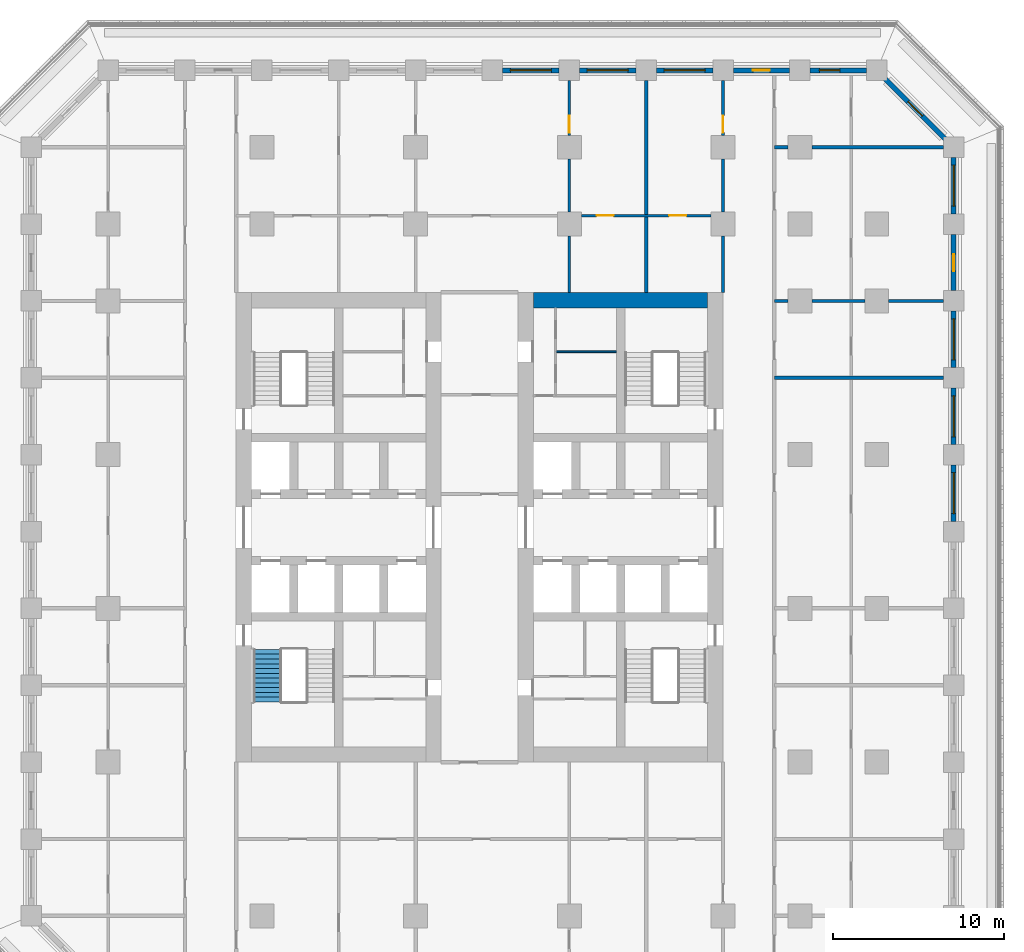
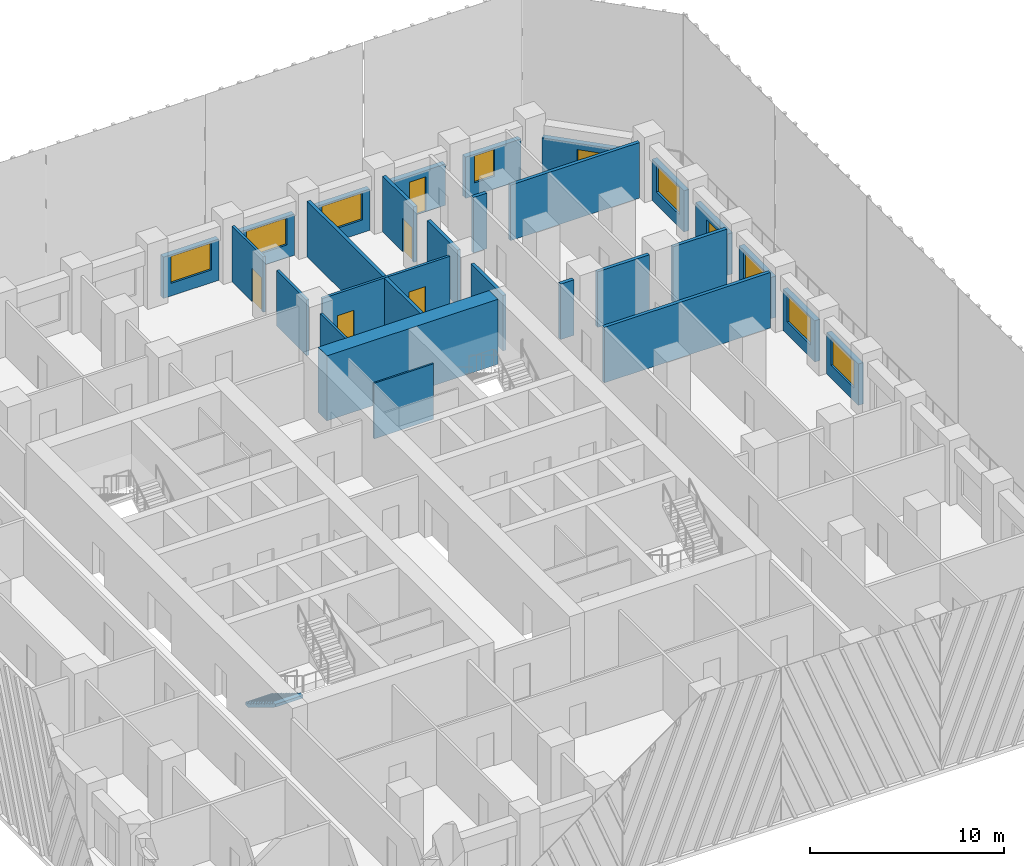
# One storey, part 9 of 20: 27 walls, 8 windows, 7 doors, 1 stair flight, 15 openings, 1 element without a shape of its own.
"""IFC4 building model written with IfcOpenShell, lengths in metres."""

from ifc_helpers import new_model, si_unit, direction, frame, frame_2d, origin, place, context, subcontext, project, spatial, polyline, rectangle, outline, extrude, material, layer, layer_set, type_object, element, fill, aggregate, save


model = new_model("IFC4")

# Units and contexts
model_context = context("Model", 3, precision=1e-05, world=origin(), true_north=direction((0.0, 1.0)))
body_context = subcontext(model_context, "Body", "Model", "MODEL_VIEW")
ifc_project = project(units=[si_unit("LENGTHUNIT", "METRE"), si_unit("AREAUNIT", "SQUARE_METRE"), si_unit("VOLUMEUNIT", "CUBIC_METRE"), si_unit("PLANEANGLEUNIT", "RADIAN"), si_unit("MASSUNIT", "GRAM", prefix="KILO")], contexts=[model_context])

# Site, building, storey
site_placement = place(None, origin())
site = spatial("IfcSite", under=ifc_project, at=site_placement, CompositionType="ELEMENT")
building_placement = place(site_placement, origin())
building = spatial("IfcBuilding", under=site, at=building_placement, Name="Corbel Stack Research Tower", CompositionType="ELEMENT")
storey_placement = place(building_placement, frame((0.0, 0.0, 106.60009765625)))
storey = spatial("IfcBuildingStorey", under=building, at=storey_placement, Name="L24", CompositionType="ELEMENT", Elevation=106.60009765625)

# Walls
ifc_material_1 = material(Name="Concrete C70/85", Category="concrete")
ifc_layer_1 = layer(ifc_material_1, 0.89990234375)
ifc_layer_set_1 = layer_set([ifc_layer_1], Name="Concrete C70/85")
wall_type_1 = type_object("IfcWallType", Name="CW-900-70", PredefinedType="SHEAR", material=ifc_layer_set_1)
wall_1_placement = place(storey_placement, frame((6.89990234375, 18.050048828125, 0.0), z_axis=(0.0, 0.0, 1.0), x_axis=(1.0, 0.0, 0.0)))
element("IfcWall", 1, at=wall_1_placement, inside=storey, type_object=wall_type_1, Name="East core wall, north end L24", PredefinedType="SHEAR", context=body_context, shape_type="SweptSolid", body=[
    extrude(rectangle(XDim=10.2001953125, YDim=0.89990234375, at=frame_2d((5.10009765625, 0.0))), origin(), (0.0, 0.0, 1.0), 4.099853515625),
])
ifc_material_2 = material(Name="Gypsum board")
ifc_layer_2 = layer(ifc_material_2, 0.10009765625)
ifc_layer_set_2 = layer_set([ifc_layer_2], Name="Gypsum board")
wall_type_2 = type_object("IfcWallType", Name="Core partition 100", PredefinedType="PARTITIONING", material=ifc_layer_set_2)
wall_2_placement = place(storey_placement, frame((8.199951171875, 15.027587890625, 0.0), z_axis=(0.0, 0.0, 1.0), x_axis=(1.0, 0.0, 0.0)))
element("IfcWall", 2, at=wall_2_placement, inside=storey, type_object=wall_type_2, Name="Core partition E", PredefinedType="PARTITIONING", context=body_context, shape_type="SweptSolid", body=[
    extrude(rectangle(XDim=3.550048828125, YDim=0.10009765625, at=frame_2d((1.77490234375, 0.0))), origin(), (0.0, 0.0, 1.0), 3.5),
])

# Wall, opening, door
ifc_material_3 = material(Name="Fire-rated gypsum board partition on steel studs", Category="steel")
ifc_layer_3 = layer(ifc_material_3, 0.14990234375)
ifc_layer_set_3 = layer_set([ifc_layer_3], Name="Fire-rated gypsum board partition on steel studs")
wall_type_3 = type_object("IfcWallType", Name="Fire-rated partition 150 EI 60", PredefinedType="PARTITIONING", material=ifc_layer_set_3)
wall_3_placement = place(storey_placement, frame((9.0, 30.89990234375, 0.0), z_axis=(0.0, 0.0, 1.0), x_axis=(0.0, -1.0, 0.0)))
wall_3 = element("IfcWall", 3, at=wall_3_placement, inside=storey, type_object=wall_type_3, Name="Partition L24-021", PredefinedType="PARTITIONING", context=body_context, shape_type="SweptSolid", body=[
    extrude(rectangle(XDim=3.199951171875, YDim=0.14990234375, at=frame_2d((1.60009765625, 0.0))), origin(), (0.0, 0.0, 1.0), 3.5),
])
opening_1_placement = place(wall_3_placement, frame((2.050048828125, 0.0, 0.0)))
opening_1 = element("IfcOpeningElement", 4, at=opening_1_placement, cuts=wall_3, Name="Opening B3V2-030", PredefinedType="OPENING", context=body_context, shape_type="SweptSolid", body=[
    extrude(rectangle(XDim=1.0, YDim=2.10009765625, at=frame_2d((0.5, 1.050048828125))), frame((0.0, 0.0849609375, 0.0), z_axis=(0.0, -1.0, 0.0), x_axis=(1.0, 0.0, 0.0)), (0.0, 0.0, 1.0), 0.169921875),
])
ifc_material_4 = material(Name="Painted steel fire door", Category="steel")
door_type_1 = type_object("IfcDoorType", Name="Fire door FD30S 1000 x 2100", OperationType="NOTDEFINED", PredefinedType="DOOR", material=ifc_material_4)
door_1_placement = place(opening_1_placement, origin())
door_1 = element("IfcDoor", 5, at=door_1_placement, inside=storey, type_object=door_type_1, Name="Door B3V2-030", OperationType="SINGLE_SWING_RIGHT", OverallHeight=2.10009765625, OverallWidth=1.0, PredefinedType="DOOR", context=body_context, shape_type="SweptSolid", body=[
    extrude(rectangle(XDim=1.0, YDim=2.10009765625, at=frame_2d((0.5, 1.050048828125))), frame((0.0, 0.02490234375, 0.0), z_axis=(0.0, -1.0, 0.0), x_axis=(1.0, 0.0, 0.0)), (0.0, 0.0, 1.0), 0.050048828125),
])
fill(opening_1, door_1)

# Walls
ifc_material_5 = material(Name="Fire-rated gypsum board partition on steel studs", Category="steel")
ifc_layer_4 = layer(ifc_material_5, 0.199951171875)
ifc_layer_set_4 = layer_set([ifc_layer_4], Name="Fire-rated gypsum board partition on steel studs")
wall_type_4 = type_object("IfcWallType", Name="Fire-rated partition 200 EI 60", PredefinedType="PARTITIONING", material=ifc_layer_set_4)
wall_4_placement = place(storey_placement, frame((13.5, 18.5, 0.0), z_axis=(0.0, 0.0, 1.0), x_axis=(0.0, 1.0, 0.0)))
element("IfcWall", 6, at=wall_4_placement, inside=storey, type_object=wall_type_4, Name="Partition L24-023", PredefinedType="PARTITIONING", context=body_context, shape_type="SweptSolid", body=[
    extrude(rectangle(XDim=12.39990234375, YDim=0.199951171875, at=frame_2d((6.199951171875, 0.0))), origin(), (0.0, 0.0, 1.0), 3.5),
])
wall_5_placement = place(storey_placement, frame((18.0, 18.5, 0.0), z_axis=(0.0, 0.0, 1.0), x_axis=(0.0, 1.0, 0.0)))
element("IfcWall", 7, at=wall_5_placement, inside=storey, type_object=wall_type_4, Name="Partition L24-026", PredefinedType="PARTITIONING", context=body_context, shape_type="SweptSolid", body=[
    extrude(rectangle(XDim=3.300048828125, YDim=0.199951171875, at=frame_2d((1.64990234375, 0.0))), origin(), (0.0, 0.0, 1.0), 3.5),
])
wall_6_placement = place(storey_placement, frame((18.0, 23.199951171875, 0.0), z_axis=(0.0, 0.0, 1.0), x_axis=(0.0, 1.0, 0.0)))
element("IfcWall", 8, at=wall_6_placement, inside=storey, type_object=wall_type_4, Name="Partition L24-027", PredefinedType="PARTITIONING", context=body_context, shape_type="SweptSolid", body=[
    extrude(rectangle(XDim=3.10009765625, YDim=0.199951171875, at=frame_2d((1.550048828125, 0.0))), origin(), (0.0, 0.0, 1.0), 3.5),
])

# Wall, opening, door
wall_7_placement = place(storey_placement, frame((18.0, 27.699951171875, 0.0), z_axis=(0.0, 0.0, 1.0), x_axis=(0.0, 1.0, 0.0)))
wall_7 = element("IfcWall", 9, at=wall_7_placement, inside=storey, type_object=wall_type_4, Name="Partition L24-028", PredefinedType="PARTITIONING", context=body_context, shape_type="SweptSolid", body=[
    extrude(rectangle(XDim=3.199951171875, YDim=0.199951171875, at=frame_2d((1.60009765625, 0.0))), origin(), (0.0, 0.0, 1.0), 3.5),
])
opening_2_placement = place(wall_7_placement, frame((0.14990234375, 0.0, 0.0)))
opening_2 = element("IfcOpeningElement", 10, at=opening_2_placement, cuts=wall_7, Name="Opening B3V2-033", PredefinedType="OPENING", context=body_context, shape_type="SweptSolid", body=[
    extrude(rectangle(XDim=1.0, YDim=2.10009765625, at=frame_2d((0.5, 1.050048828125))), frame((0.0, 0.10986328125, 0.0), z_axis=(0.0, -1.0, 0.0), x_axis=(1.0, 0.0, 0.0)), (0.0, 0.0, 1.0), 0.219970703125),
])
door_2_placement = place(opening_2_placement, origin())
door_2 = element("IfcDoor", 11, at=door_2_placement, inside=storey, type_object=door_type_1, Name="Door B3V2-033", OperationType="SINGLE_SWING_LEFT", OverallHeight=2.10009765625, OverallWidth=1.0, PredefinedType="DOOR", context=body_context, shape_type="SweptSolid", body=[
    extrude(rectangle(XDim=1.0, YDim=2.10009765625, at=frame_2d((0.5, 1.050048828125))), frame((0.0, 0.02490234375, 0.0), z_axis=(0.0, -1.0, 0.0), x_axis=(1.0, 0.0, 0.0)), (0.0, 0.0, 1.0), 0.050048828125),
])
fill(opening_2, door_2)

# Walls
wall_8_placement = place(storey_placement, frame((21.0, 13.5, 0.0), z_axis=(0.0, 0.0, 1.0), x_axis=(1.0, 0.0, 0.0)))
element("IfcWall", 12, at=wall_8_placement, inside=storey, type_object=wall_type_4, Name="Partition L24-048", PredefinedType="PARTITIONING", context=body_context, shape_type="SweptSolid", body=[
    extrude(rectangle(XDim=9.89990234375, YDim=0.199951171875, at=frame_2d((4.949951171875, 0.0))), origin(), (0.0, 0.0, 1.0), 3.5),
])
wall_9_placement = place(storey_placement, frame((21.0, 18.0, 0.0), z_axis=(0.0, 0.0, 1.0), x_axis=(1.0, 0.0, 0.0)))
element("IfcWall", 13, at=wall_9_placement, inside=storey, type_object=wall_type_4, Name="Partition L24-051", PredefinedType="PARTITIONING", context=body_context, shape_type="SweptSolid", body=[
    extrude(rectangle(XDim=0.800048828125, YDim=0.199951171875, at=frame_2d((0.39990234375, 0.0))), origin(), (0.0, 0.0, 1.0), 3.5),
])
wall_10_placement = place(storey_placement, frame((23.199951171875, 18.0, 0.0), z_axis=(0.0, 0.0, 1.0), x_axis=(1.0, 0.0, 0.0)))
element("IfcWall", 14, at=wall_10_placement, inside=storey, type_object=wall_type_4, Name="Partition L24-052", PredefinedType="PARTITIONING", context=body_context, shape_type="SweptSolid", body=[
    extrude(rectangle(XDim=3.10009765625, YDim=0.199951171875, at=frame_2d((1.550048828125, 0.0))), origin(), (0.0, 0.0, 1.0), 3.5),
])
wall_11_placement = place(storey_placement, frame((27.699951171875, 18.0, 0.0), z_axis=(0.0, 0.0, 1.0), x_axis=(1.0, 0.0, 0.0)))
element("IfcWall", 15, at=wall_11_placement, inside=storey, type_object=wall_type_4, Name="Partition L24-053", PredefinedType="PARTITIONING", context=body_context, shape_type="SweptSolid", body=[
    extrude(rectangle(XDim=3.199951171875, YDim=0.199951171875, at=frame_2d((1.60009765625, 0.0))), origin(), (0.0, 0.0, 1.0), 3.5),
])
wall_12_placement = place(storey_placement, frame((21.0, 27.0, 0.0), z_axis=(0.0, 0.0, 1.0), x_axis=(1.0, 0.0, 0.0)))
element("IfcWall", 16, at=wall_12_placement, inside=storey, type_object=wall_type_4, Name="Partition L24-060", PredefinedType="PARTITIONING", context=body_context, shape_type="SweptSolid", body=[
    extrude(rectangle(XDim=0.800048828125, YDim=0.199951171875, at=frame_2d((0.39990234375, 0.0))), origin(), (0.0, 0.0, 1.0), 3.5),
])
wall_13_placement = place(storey_placement, frame((23.199951171875, 27.0, 0.0), z_axis=(0.0, 0.0, 1.0), x_axis=(1.0, 0.0, 0.0)))
element("IfcWall", 17, at=wall_13_placement, inside=storey, type_object=wall_type_4, Name="Partition L24-061", PredefinedType="PARTITIONING", context=body_context, shape_type="SweptSolid", body=[
    extrude(rectangle(XDim=7.699951171875, YDim=0.199951171875, at=frame_2d((3.85009765625, 0.0))), origin(), (0.0, 0.0, 1.0), 3.5),
])
ifc_material_6 = material(Name="Gypsum board partition on steel studs", Category="steel")
ifc_layer_5 = layer(ifc_material_6, 0.14990234375)
ifc_layer_set_5 = layer_set([ifc_layer_5], Name="Gypsum board partition on steel studs")
wall_type_5 = type_object("IfcWallType", Name="Partition 150", PredefinedType="PARTITIONING", material=ifc_layer_set_5)
wall_14_placement = place(storey_placement, frame((9.0, 18.5, 0.0), z_axis=(0.0, 0.0, 1.0), x_axis=(0.0, 1.0, 0.0)))
element("IfcWall", 18, at=wall_14_placement, inside=storey, type_object=wall_type_5, Name="Partition L24-019", PredefinedType="PARTITIONING", context=body_context, shape_type="SweptSolid", body=[
    extrude(rectangle(XDim=3.300048828125, YDim=0.14990234375, at=frame_2d((1.64990234375, 0.0))), origin(), (0.0, 0.0, 1.0), 3.5),
])
wall_15_placement = place(storey_placement, frame((9.0, 23.199951171875, 0.0), z_axis=(0.0, 0.0, 1.0), x_axis=(0.0, 1.0, 0.0)))
element("IfcWall", 19, at=wall_15_placement, inside=storey, type_object=wall_type_5, Name="Partition L24-020", PredefinedType="PARTITIONING", context=body_context, shape_type="SweptSolid", body=[
    extrude(rectangle(XDim=3.10009765625, YDim=0.14990234375, at=frame_2d((1.550048828125, 0.0))), origin(), (0.0, 0.0, 1.0), 3.5),
])

# Wall, openings, doors
wall_16_placement = place(storey_placement, frame((17.300048828125, 23.0, 0.0), z_axis=(0.0, 0.0, 1.0), x_axis=(-1.0, 0.0, 0.0)))
wall_16 = element("IfcWall", 20, at=wall_16_placement, inside=storey, type_object=wall_type_5, Name="Partition L24-058", PredefinedType="PARTITIONING", context=body_context, shape_type="SweptSolid", body=[
    extrude(rectangle(XDim=7.60009765625, YDim=0.14990234375, at=frame_2d((3.800048828125, 0.0))), origin(), (0.0, 0.0, 1.0), 3.5),
])
opening_3_placement = place(wall_16_placement, frame((5.699951171875, 0.0, 0.0)))
opening_3 = element("IfcOpeningElement", 21, at=opening_3_placement, cuts=wall_16, Name="Opening B3V2-045", PredefinedType="OPENING", context=body_context, shape_type="SweptSolid", body=[
    extrude(rectangle(XDim=1.0, YDim=2.10009765625, at=frame_2d((0.5, 1.050048828125))), frame((0.0, 0.0849609375, 0.0), z_axis=(0.0, -1.0, 0.0), x_axis=(1.0, 0.0, 0.0)), (0.0, 0.0, 1.0), 0.169921875),
])
opening_4_placement = place(wall_16_placement, frame((1.449951171875, 0.0, 0.0)))
opening_4 = element("IfcOpeningElement", 22, at=opening_4_placement, cuts=wall_16, Name="Opening B3V2-046", PredefinedType="OPENING", context=body_context, shape_type="SweptSolid", body=[
    extrude(rectangle(XDim=1.0, YDim=2.10009765625, at=frame_2d((0.5, 1.050048828125))), frame((0.0, 0.0849609375, 0.0), z_axis=(0.0, -1.0, 0.0), x_axis=(1.0, 0.0, 0.0)), (0.0, 0.0, 1.0), 0.169921875),
])
ifc_material_7 = material(Name="Painted timber door", Category="wood")
door_type_2 = type_object("IfcDoorType", Name="Single door 1000 x 2100", OperationType="NOTDEFINED", PredefinedType="DOOR", material=ifc_material_7)
door_3_placement = place(opening_3_placement, origin())
door_3 = element("IfcDoor", 23, at=door_3_placement, inside=storey, type_object=door_type_2, Name="Door B3V2-045", OperationType="SINGLE_SWING_RIGHT", OverallHeight=2.10009765625, OverallWidth=1.0, PredefinedType="DOOR", context=body_context, shape_type="SweptSolid", body=[
    extrude(rectangle(XDim=1.0, YDim=2.10009765625, at=frame_2d((0.5, 1.050048828125))), frame((0.0, 0.02490234375, 0.0), z_axis=(0.0, -1.0, 0.0), x_axis=(1.0, 0.0, 0.0)), (0.0, 0.0, 1.0), 0.050048828125),
])
fill(opening_3, door_3)
door_4_placement = place(opening_4_placement, origin())
door_4 = element("IfcDoor", 24, at=door_4_placement, inside=storey, type_object=door_type_2, Name="Door B3V2-046", OperationType="SINGLE_SWING_LEFT", OverallHeight=2.10009765625, OverallWidth=1.0, PredefinedType="DOOR", context=body_context, shape_type="SweptSolid", body=[
    extrude(rectangle(XDim=1.0, YDim=2.10009765625, at=frame_2d((0.5, 1.050048828125))), frame((0.0, 0.02490234375, 0.0), z_axis=(0.0, -1.0, 0.0), x_axis=(1.0, 0.0, 0.0)), (0.0, 0.0, 1.0), 0.050048828125),
])
fill(opening_4, door_4)

# Wall, opening, window
ifc_material_8 = material(Name="Concrete C45/55", Category="concrete")
ifc_layer_6 = layer(ifc_material_8, 0.300048828125)
ifc_layer_set_6 = layer_set([ifc_layer_6], Name="Concrete C45/55")
wall_type_6 = type_object("IfcWallType", Name="Terracotta-faced concrete wall 300", PredefinedType="SOLIDWALL", material=ifc_layer_set_6)
wall_17_placement = place(storey_placement, frame((31.5, 8.39990234375, 0.0), z_axis=(0.0, 0.0, 1.0), x_axis=(0.0, -1.0, 0.0)))
wall_17 = element("IfcWall", 25, at=wall_17_placement, inside=storey, type_object=wall_type_6, Name="Facade wall L24 E06", PredefinedType="SOLIDWALL", context=body_context, shape_type="SweptSolid", body=[
    extrude(rectangle(XDim=3.2998046875, YDim=0.300048828125, at=frame_2d((1.64990234375, 0.0))), origin(), (0.0, 0.0, 1.0), 2.599853515625),
])
opening_5_placement = place(wall_17_placement, frame((0.449951171875, 0.0, 0.800048828125)))
opening_5 = element("IfcOpeningElement", 26, at=opening_5_placement, cuts=wall_17, Name="Opening W1", PredefinedType="OPENING", context=body_context, shape_type="SweptSolid", body=[
    extrude(rectangle(XDim=2.39990234375, YDim=1.699951171875, at=frame_2d((1.199951171875, 0.85009765625))), frame((0.0, 0.159912109375, 0.0), z_axis=(0.0, -1.0, 0.0), x_axis=(1.0, 0.0, 0.0)), (0.0, 0.0, 1.0), 0.320068359375),
])
ifc_material_9 = material(Name="Aluminium frame, clear double glazing", Category="aluminium")
window_type_1 = type_object("IfcWindowType", Name="Window W1 2400 x 1700", PartitioningType="SINGLE_PANEL", PredefinedType="WINDOW", material=ifc_material_9)
window_1_placement = place(opening_5_placement, origin())
window_1 = element("IfcWindow", 27, at=window_1_placement, inside=storey, type_object=window_type_1, Name="Window W1 L24 E06", OverallHeight=1.699951171875, OverallWidth=2.39990234375, PartitioningType="SINGLE_PANEL", PredefinedType="WINDOW", context=body_context, shape_type="SweptSolid", body=[
    extrude(rectangle(XDim=2.39990234375, YDim=1.699951171875, at=frame_2d((1.199951171875, 0.85009765625))), frame((0.0, 0.030029296875, 0.0), z_axis=(0.0, -1.0, 0.0), x_axis=(1.0, 0.0, 0.0)), (0.0, 0.0, 1.0), 0.06005859375),
])
fill(opening_5, window_1)

wall_18_placement = place(storey_placement, frame((31.5, 12.89990234375, 0.0), z_axis=(0.0, 0.0, 1.0), x_axis=(0.0, -1.0, 0.0)))
wall_18 = element("IfcWall", 28, at=wall_18_placement, inside=storey, type_object=wall_type_6, Name="Facade wall L24 E07", PredefinedType="SOLIDWALL", context=body_context, shape_type="SweptSolid", body=[
    extrude(rectangle(XDim=3.2998046875, YDim=0.300048828125, at=frame_2d((1.64990234375, 0.0))), origin(), (0.0, 0.0, 1.0), 2.599853515625),
])
opening_6_placement = place(wall_18_placement, frame((0.449951171875, 0.0, 0.800048828125)))
opening_6 = element("IfcOpeningElement", 29, at=opening_6_placement, cuts=wall_18, Name="Opening W1", PredefinedType="OPENING", context=body_context, shape_type="SweptSolid", body=[
    extrude(rectangle(XDim=2.39990234375, YDim=1.699951171875, at=frame_2d((1.199951171875, 0.85009765625))), frame((0.0, 0.159912109375, 0.0), z_axis=(0.0, -1.0, 0.0), x_axis=(1.0, 0.0, 0.0)), (0.0, 0.0, 1.0), 0.320068359375),
])
window_2_placement = place(opening_6_placement, origin())
window_2 = element("IfcWindow", 30, at=window_2_placement, inside=storey, type_object=window_type_1, Name="Window W1 L24 E07", OverallHeight=1.699951171875, OverallWidth=2.39990234375, PartitioningType="SINGLE_PANEL", PredefinedType="WINDOW", context=body_context, shape_type="SweptSolid", body=[
    extrude(rectangle(XDim=2.39990234375, YDim=1.699951171875, at=frame_2d((1.199951171875, 0.85009765625))), frame((0.0, 0.030029296875, 0.0), z_axis=(0.0, -1.0, 0.0), x_axis=(1.0, 0.0, 0.0)), (0.0, 0.0, 1.0), 0.06005859375),
])
fill(opening_6, window_2)

wall_19_placement = place(storey_placement, frame((31.5, 17.39990234375, 0.0), z_axis=(0.0, 0.0, 1.0), x_axis=(0.0, -1.0, 0.0)))
wall_19 = element("IfcWall", 31, at=wall_19_placement, inside=storey, type_object=wall_type_6, Name="Facade wall L24 E08", PredefinedType="SOLIDWALL", context=body_context, shape_type="SweptSolid", body=[
    extrude(rectangle(XDim=3.2998046875, YDim=0.300048828125, at=frame_2d((1.64990234375, 0.0))), origin(), (0.0, 0.0, 1.0), 2.599853515625),
])
opening_7_placement = place(wall_19_placement, frame((0.449951171875, 0.0, 0.800048828125)))
opening_7 = element("IfcOpeningElement", 32, at=opening_7_placement, cuts=wall_19, Name="Opening W1", PredefinedType="OPENING", context=body_context, shape_type="SweptSolid", body=[
    extrude(rectangle(XDim=2.39990234375, YDim=1.699951171875, at=frame_2d((1.199951171875, 0.85009765625))), frame((0.0, 0.159912109375, 0.0), z_axis=(0.0, -1.0, 0.0), x_axis=(1.0, 0.0, 0.0)), (0.0, 0.0, 1.0), 0.320068359375),
])
window_3_placement = place(opening_7_placement, origin())
window_3 = element("IfcWindow", 33, at=window_3_placement, inside=storey, type_object=window_type_1, Name="Window W1 L24 E08", OverallHeight=1.699951171875, OverallWidth=2.39990234375, PartitioningType="SINGLE_PANEL", PredefinedType="WINDOW", context=body_context, shape_type="SweptSolid", body=[
    extrude(rectangle(XDim=2.39990234375, YDim=1.699951171875, at=frame_2d((1.199951171875, 0.85009765625))), frame((0.0, 0.030029296875, 0.0), z_axis=(0.0, -1.0, 0.0), x_axis=(1.0, 0.0, 0.0)), (0.0, 0.0, 1.0), 0.06005859375),
])
fill(opening_7, window_3)

# Wall, opening, door
wall_20_placement = place(storey_placement, frame((31.5, 21.89990234375, 0.0), z_axis=(0.0, 0.0, 1.0), x_axis=(0.0, -1.0, 0.0)))
wall_20 = element("IfcWall", 34, at=wall_20_placement, inside=storey, type_object=wall_type_6, Name="Facade wall L24 E09", PredefinedType="SOLIDWALL", context=body_context, shape_type="SweptSolid", body=[
    extrude(rectangle(XDim=3.2998046875, YDim=0.300048828125, at=frame_2d((1.64990234375, 0.0))), origin(), (0.0, 0.0, 1.0), 2.599853515625),
])
opening_8_placement = place(wall_20_placement, frame((1.14990234375, 0.0, 0.0)))
opening_8 = element("IfcOpeningElement", 35, at=opening_8_placement, cuts=wall_20, Name="Opening L24-B05", PredefinedType="OPENING", context=body_context, shape_type="SweptSolid", body=[
    extrude(rectangle(XDim=1.0, YDim=2.199951171875, at=frame_2d((0.5, 1.10009765625))), frame((0.0, 0.159912109375, 0.0), z_axis=(0.0, -1.0, 0.0), x_axis=(1.0, 0.0, 0.0)), (0.0, 0.0, 1.0), 0.320068359375),
])
ifc_material_10 = material(Name="Aluminium frame, clear double glazing", Category="aluminium")
door_type_3 = type_object("IfcDoorType", Name="Balcony door BD1 1000 x 2200", OperationType="NOTDEFINED", PredefinedType="DOOR", material=ifc_material_10)
door_5_placement = place(opening_8_placement, origin())
door_5 = element("IfcDoor", 36, at=door_5_placement, inside=storey, type_object=door_type_3, Name="Balcony door L24-B05", OperationType="SINGLE_SWING_LEFT", OverallHeight=2.199951171875, OverallWidth=1.0, PredefinedType="DOOR", context=body_context, shape_type="SweptSolid", body=[
    extrude(rectangle(XDim=1.0, YDim=2.199951171875, at=frame_2d((0.5, 1.10009765625))), frame((0.0, 0.02490234375, 0.0), z_axis=(0.0, -1.0, 0.0), x_axis=(1.0, 0.0, 0.0)), (0.0, 0.0, 1.0), 0.050048828125),
])
fill(opening_8, door_5)

# Wall, opening, window
wall_21_placement = place(storey_placement, frame((31.5, 26.39990234375, 0.0), z_axis=(0.0, 0.0, 1.0), x_axis=(0.0, -1.0, 0.0)))
wall_21 = element("IfcWall", 37, at=wall_21_placement, inside=storey, type_object=wall_type_6, Name="Facade wall L24 E10", PredefinedType="SOLIDWALL", context=body_context, shape_type="SweptSolid", body=[
    extrude(rectangle(XDim=3.2998046875, YDim=0.300048828125, at=frame_2d((1.64990234375, 0.0))), origin(), (0.0, 0.0, 1.0), 2.599853515625),
])
opening_9_placement = place(wall_21_placement, frame((0.449951171875, 0.0, 0.800048828125)))
opening_9 = element("IfcOpeningElement", 38, at=opening_9_placement, cuts=wall_21, Name="Opening W1", PredefinedType="OPENING", context=body_context, shape_type="SweptSolid", body=[
    extrude(rectangle(XDim=2.39990234375, YDim=1.699951171875, at=frame_2d((1.199951171875, 0.85009765625))), frame((0.0, 0.159912109375, 0.0), z_axis=(0.0, -1.0, 0.0), x_axis=(1.0, 0.0, 0.0)), (0.0, 0.0, 1.0), 0.320068359375),
])
window_4_placement = place(opening_9_placement, origin())
window_4 = element("IfcWindow", 39, at=window_4_placement, inside=storey, type_object=window_type_1, Name="Window W1 L24 E10", OverallHeight=1.699951171875, OverallWidth=2.39990234375, PartitioningType="SINGLE_PANEL", PredefinedType="WINDOW", context=body_context, shape_type="SweptSolid", body=[
    extrude(rectangle(XDim=2.39990234375, YDim=1.699951171875, at=frame_2d((1.199951171875, 0.85009765625))), frame((0.0, 0.030029296875, 0.0), z_axis=(0.0, -1.0, 0.0), x_axis=(1.0, 0.0, 0.0)), (0.0, 0.0, 1.0), 0.06005859375),
])
fill(opening_9, window_4)

# Wall, opening, door
wall_22_placement = place(storey_placement, frame((27.493896484375, 31.006103515625, 0.0), z_axis=(0.0, 0.0, 1.0), x_axis=(0.707106781187, -0.707106781187, 0.0)))
wall_22 = element("IfcWall", 40, at=wall_22_placement, inside=storey, type_object=wall_type_6, Name="Facade wall L24 NE01", PredefinedType="SOLIDWALL", context=body_context, shape_type="SweptSolid", body=[
    extrude(rectangle(XDim=4.967041015625, YDim=0.300048828125, at=frame_2d((2.4833984375, 0.0))), origin(), (0.0, 0.0, 1.0), 2.599853515625),
])
opening_10_placement = place(wall_22_placement, frame((1.883544921875, 0.0, 0.0)))
opening_10 = element("IfcOpeningElement", 41, at=opening_10_placement, cuts=wall_22, Name="Opening L24-B06", PredefinedType="OPENING", context=body_context, shape_type="SweptSolid", body=[
    extrude(rectangle(XDim=1.199951171875, YDim=2.199951171875, at=frame_2d((0.60009765625, 1.10009765625))), frame((0.0, 0.159912109375, 0.0), z_axis=(0.0, -1.0, 0.0), x_axis=(1.0, 0.0, 0.0)), (0.0, 0.0, 1.0), 0.320068359375),
])
ifc_material_11 = material(Name="Aluminium frame, clear double glazing", Category="aluminium")
door_type_4 = type_object("IfcDoorType", Name="Balcony door BD2 1200 x 2200", OperationType="NOTDEFINED", PredefinedType="DOOR", material=ifc_material_11)
door_6_placement = place(opening_10_placement, origin())
door_6 = element("IfcDoor", 42, at=door_6_placement, inside=storey, type_object=door_type_4, Name="Balcony door L24-B06", OperationType="SINGLE_SWING_LEFT", OverallHeight=2.199951171875, OverallWidth=1.199951171875, PredefinedType="DOOR", context=body_context, shape_type="SweptSolid", body=[
    extrude(rectangle(XDim=1.199951171875, YDim=2.199951171875, at=frame_2d((0.60009765625, 1.10009765625))), frame((0.0, 0.02490234375, 0.0), z_axis=(0.0, -1.0, 0.0), x_axis=(1.0, 0.0, 0.0)), (0.0, 0.0, 1.0), 0.050048828125),
])
fill(opening_10, door_6)

# Wall, opening, window
wall_23_placement = place(storey_placement, frame((23.10009765625, 31.5, 0.0), z_axis=(0.0, 0.0, 1.0), x_axis=(1.0, 0.0, 0.0)))
wall_23 = element("IfcWall", 43, at=wall_23_placement, inside=storey, type_object=wall_type_6, Name="Facade wall L24 N01", PredefinedType="SOLIDWALL", context=body_context, shape_type="SweptSolid", body=[
    extrude(rectangle(XDim=3.2998046875, YDim=0.300048828125, at=frame_2d((1.64990234375, 0.0))), origin(), (0.0, 0.0, 1.0), 2.599853515625),
])
opening_11_placement = place(wall_23_placement, frame((0.53759765625, 0.0, 0.800048828125)))
opening_11 = element("IfcOpeningElement", 44, at=opening_11_placement, cuts=wall_23, Name="Opening W2", PredefinedType="OPENING", context=body_context, shape_type="SweptSolid", body=[
    extrude(rectangle(XDim=1.199951171875, YDim=1.699951171875, at=frame_2d((0.60009765625, 0.85009765625))), frame((0.0, 0.159912109375, 0.0), z_axis=(0.0, -1.0, 0.0), x_axis=(1.0, 0.0, 0.0)), (0.0, 0.0, 1.0), 0.320068359375),
])
ifc_material_12 = material(Name="Aluminium frame, clear double glazing", Category="aluminium")
window_type_2 = type_object("IfcWindowType", Name="Window W2 1200 x 1700", PartitioningType="SINGLE_PANEL", PredefinedType="WINDOW", material=ifc_material_12)
window_5_placement = place(opening_11_placement, origin())
window_5 = element("IfcWindow", 45, at=window_5_placement, inside=storey, type_object=window_type_2, Name="Window W2 L24 N01", OverallHeight=1.699951171875, OverallWidth=1.199951171875, PartitioningType="SINGLE_PANEL", PredefinedType="WINDOW", context=body_context, shape_type="SweptSolid", body=[
    extrude(rectangle(XDim=1.199951171875, YDim=1.699951171875, at=frame_2d((0.60009765625, 0.85009765625))), frame((0.0, 0.030029296875, 0.0), z_axis=(0.0, -1.0, 0.0), x_axis=(1.0, 0.0, 0.0)), (0.0, 0.0, 1.0), 0.06005859375),
])
fill(opening_11, window_5)

# Wall, opening, door
wall_24_placement = place(storey_placement, frame((18.60009765625, 31.5, 0.0), z_axis=(0.0, 0.0, 1.0), x_axis=(1.0, 0.0, 0.0)))
wall_24 = element("IfcWall", 46, at=wall_24_placement, inside=storey, type_object=wall_type_6, Name="Facade wall L24 N02", PredefinedType="SOLIDWALL", context=body_context, shape_type="SweptSolid", body=[
    extrude(rectangle(XDim=3.2998046875, YDim=0.300048828125, at=frame_2d((1.64990234375, 0.0))), origin(), (0.0, 0.0, 1.0), 2.599853515625),
])
opening_12_placement = place(wall_24_placement, frame((1.14990234375, 0.0, 0.0)))
opening_12 = element("IfcOpeningElement", 47, at=opening_12_placement, cuts=wall_24, Name="Opening L24-B07", PredefinedType="OPENING", context=body_context, shape_type="SweptSolid", body=[
    extrude(rectangle(XDim=1.0, YDim=2.199951171875, at=frame_2d((0.5, 1.10009765625))), frame((0.0, 0.159912109375, 0.0), z_axis=(0.0, -1.0, 0.0), x_axis=(1.0, 0.0, 0.0)), (0.0, 0.0, 1.0), 0.320068359375),
])
door_7_placement = place(opening_12_placement, origin())
door_7 = element("IfcDoor", 48, at=door_7_placement, inside=storey, type_object=door_type_3, Name="Balcony door L24-B07", OperationType="SINGLE_SWING_RIGHT", OverallHeight=2.199951171875, OverallWidth=1.0, PredefinedType="DOOR", context=body_context, shape_type="SweptSolid", body=[
    extrude(rectangle(XDim=1.0, YDim=2.199951171875, at=frame_2d((0.5, 1.10009765625))), frame((0.0, 0.02490234375, 0.0), z_axis=(0.0, -1.0, 0.0), x_axis=(1.0, 0.0, 0.0)), (0.0, 0.0, 1.0), 0.050048828125),
])
fill(opening_12, door_7)

# Wall, opening, window
wall_25_placement = place(storey_placement, frame((14.10009765625, 31.5, 0.0), z_axis=(0.0, 0.0, 1.0), x_axis=(1.0, 0.0, 0.0)))
wall_25 = element("IfcWall", 49, at=wall_25_placement, inside=storey, type_object=wall_type_6, Name="Facade wall L24 N03", PredefinedType="SOLIDWALL", context=body_context, shape_type="SweptSolid", body=[
    extrude(rectangle(XDim=3.2998046875, YDim=0.300048828125, at=frame_2d((1.64990234375, 0.0))), origin(), (0.0, 0.0, 1.0), 2.599853515625),
])
opening_13_placement = place(wall_25_placement, frame((0.449951171875, 0.0, 0.800048828125)))
opening_13 = element("IfcOpeningElement", 50, at=opening_13_placement, cuts=wall_25, Name="Opening W1", PredefinedType="OPENING", context=body_context, shape_type="SweptSolid", body=[
    extrude(rectangle(XDim=2.39990234375, YDim=1.699951171875, at=frame_2d((1.199951171875, 0.85009765625))), frame((0.0, 0.159912109375, 0.0), z_axis=(0.0, -1.0, 0.0), x_axis=(1.0, 0.0, 0.0)), (0.0, 0.0, 1.0), 0.320068359375),
])
window_6_placement = place(opening_13_placement, origin())
window_6 = element("IfcWindow", 51, at=window_6_placement, inside=storey, type_object=window_type_1, Name="Window W1 L24 N03", OverallHeight=1.699951171875, OverallWidth=2.39990234375, PartitioningType="SINGLE_PANEL", PredefinedType="WINDOW", context=body_context, shape_type="SweptSolid", body=[
    extrude(rectangle(XDim=2.39990234375, YDim=1.699951171875, at=frame_2d((1.199951171875, 0.85009765625))), frame((0.0, 0.030029296875, 0.0), z_axis=(0.0, -1.0, 0.0), x_axis=(1.0, 0.0, 0.0)), (0.0, 0.0, 1.0), 0.06005859375),
])
fill(opening_13, window_6)

wall_26_placement = place(storey_placement, frame((9.60009765625, 31.5, 0.0), z_axis=(0.0, 0.0, 1.0), x_axis=(1.0, 0.0, 0.0)))
wall_26 = element("IfcWall", 52, at=wall_26_placement, inside=storey, type_object=wall_type_6, Name="Facade wall L24 N04", PredefinedType="SOLIDWALL", context=body_context, shape_type="SweptSolid", body=[
    extrude(rectangle(XDim=3.2998046875, YDim=0.300048828125, at=frame_2d((1.64990234375, 0.0))), origin(), (0.0, 0.0, 1.0), 2.599853515625),
])
opening_14_placement = place(wall_26_placement, frame((0.449951171875, 0.0, 0.800048828125)))
opening_14 = element("IfcOpeningElement", 53, at=opening_14_placement, cuts=wall_26, Name="Opening W1", PredefinedType="OPENING", context=body_context, shape_type="SweptSolid", body=[
    extrude(rectangle(XDim=2.39990234375, YDim=1.699951171875, at=frame_2d((1.199951171875, 0.85009765625))), frame((0.0, 0.159912109375, 0.0), z_axis=(0.0, -1.0, 0.0), x_axis=(1.0, 0.0, 0.0)), (0.0, 0.0, 1.0), 0.320068359375),
])
window_7_placement = place(opening_14_placement, origin())
window_7 = element("IfcWindow", 54, at=window_7_placement, inside=storey, type_object=window_type_1, Name="Window W1 L24 N04", OverallHeight=1.699951171875, OverallWidth=2.39990234375, PartitioningType="SINGLE_PANEL", PredefinedType="WINDOW", context=body_context, shape_type="SweptSolid", body=[
    extrude(rectangle(XDim=2.39990234375, YDim=1.699951171875, at=frame_2d((1.199951171875, 0.85009765625))), frame((0.0, 0.030029296875, 0.0), z_axis=(0.0, -1.0, 0.0), x_axis=(1.0, 0.0, 0.0)), (0.0, 0.0, 1.0), 0.06005859375),
])
fill(opening_14, window_7)

wall_27_placement = place(storey_placement, frame((5.10009765625, 31.5, 0.0), z_axis=(0.0, 0.0, 1.0), x_axis=(1.0, 0.0, 0.0)))
wall_27 = element("IfcWall", 55, at=wall_27_placement, inside=storey, type_object=wall_type_6, Name="Facade wall L24 N05", PredefinedType="SOLIDWALL", context=body_context, shape_type="SweptSolid", body=[
    extrude(rectangle(XDim=3.2998046875, YDim=0.300048828125, at=frame_2d((1.64990234375, 0.0))), origin(), (0.0, 0.0, 1.0), 2.599853515625),
])
opening_15_placement = place(wall_27_placement, frame((0.449951171875, 0.0, 0.800048828125)))
opening_15 = element("IfcOpeningElement", 56, at=opening_15_placement, cuts=wall_27, Name="Opening W1", PredefinedType="OPENING", context=body_context, shape_type="SweptSolid", body=[
    extrude(rectangle(XDim=2.39990234375, YDim=1.699951171875, at=frame_2d((1.199951171875, 0.85009765625))), frame((0.0, 0.159912109375, 0.0), z_axis=(0.0, -1.0, 0.0), x_axis=(1.0, 0.0, 0.0)), (0.0, 0.0, 1.0), 0.320068359375),
])
window_8_placement = place(opening_15_placement, origin())
window_8 = element("IfcWindow", 57, at=window_8_placement, inside=storey, type_object=window_type_1, Name="Window W1 L24 N05", OverallHeight=1.699951171875, OverallWidth=2.39990234375, PartitioningType="SINGLE_PANEL", PredefinedType="WINDOW", context=body_context, shape_type="SweptSolid", body=[
    extrude(rectangle(XDim=2.39990234375, YDim=1.699951171875, at=frame_2d((1.199951171875, 0.85009765625))), frame((0.0, 0.030029296875, 0.0), z_axis=(0.0, -1.0, 0.0), x_axis=(1.0, 0.0, 0.0)), (0.0, 0.0, 1.0), 0.06005859375),
])
fill(opening_15, window_8)

# Stair, stair flight
ifc_material_13 = material(Name="Concrete C40/50", Category="concrete")
stair_type = type_object("IfcStairType", Name="Exit stair 24 risers", PredefinedType="HALF_TURN_STAIR", material=ifc_material_13)
stair_placement = place(storey_placement, origin())
stair = element("IfcStair", 58, at=stair_placement, inside=storey, type_object=stair_type, Name="L24 Exit stair ST-W1", PredefinedType="HALF_TURN_STAIR")
ifc_material_14 = material(Name="Concrete C40/50", Category="concrete")
stair_flight_type = type_object("IfcStairFlightType", Name="Stair flight 12 risers", PredefinedType="STRAIGHT", material=ifc_material_14)
stair_flight_placement = place(storey_placement, frame((-8.675048828125, -2.39990234375, 0.0), z_axis=(0.0, 0.0, 1.0), x_axis=(0.0, -1.0, 0.0)))
stair_flight = element("IfcStairFlight", 59, at=stair_flight_placement, type_object=stair_flight_type, Name="ST-W1 flight 1", NumberOfRisers=12, NumberOfTreads=11, PredefinedType="STRAIGHT", RiserHeight=0.170833333, TreadLength=0.28, context=body_context, shape_type="SweptSolid", body=[
    extrude(outline(polyline([(0.0, 0.0), (0.0, 0.1708984375), (0.280029296875, 0.1708984375), (0.280029296875, 0.341552734375), (0.56005859375, 0.341552734375), (0.56005859375, 0.512451171875), (0.840087890625, 0.512451171875), (0.840087890625, 0.683349609375), (1.1201171875, 0.683349609375), (1.1201171875, 0.854248046875), (1.39990234375, 0.854248046875), (1.39990234375, 1.02490234375), (1.679931640625, 1.02490234375), (1.679931640625, 1.19580078125), (1.9599609375, 1.19580078125), (1.9599609375, 1.36669921875), (2.239990234375, 1.36669921875), (2.239990234375, 1.53759765625), (2.52001953125, 1.53759765625), (2.52001953125, 1.708251953125), (2.800048828125, 1.708251953125), (2.800048828125, 1.879150390625), (3.080078125, 1.879150390625), (3.080078125, 2.050048828125), (3.080078125, 1.70361328125), (0.287841796875, 0.0), (0.0, 0.0)])), frame((0.0, 0.824951171875, 0.0), z_axis=(0.0, -1.0, 0.0), x_axis=(1.0, 0.0, 0.0)), (0.0, 0.0, 1.0), 1.64990234375),
])
aggregate(stair, [stair_flight])

save(model, "model.ifc")
